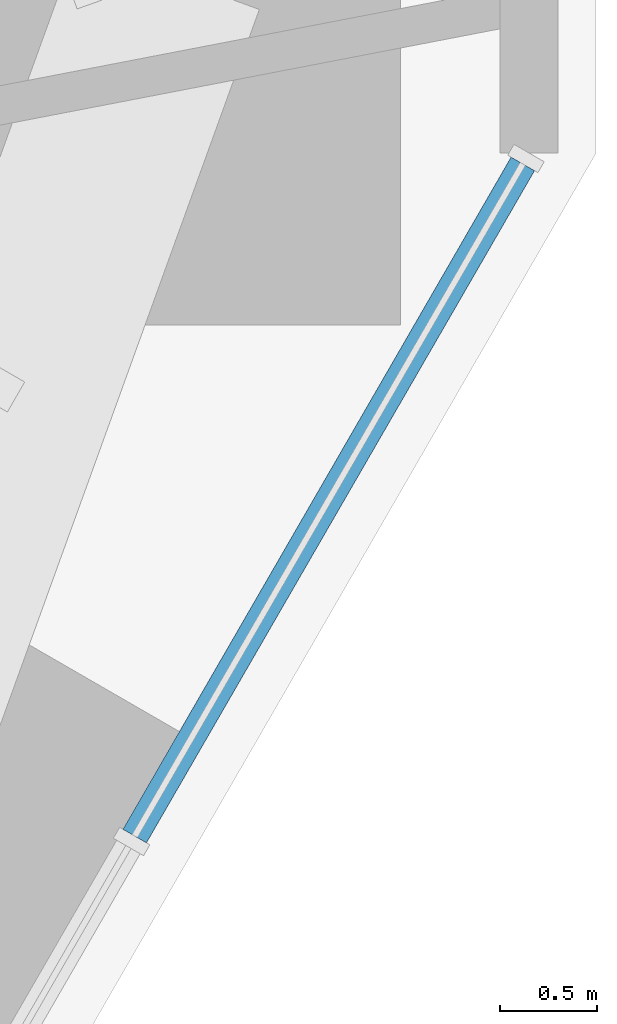
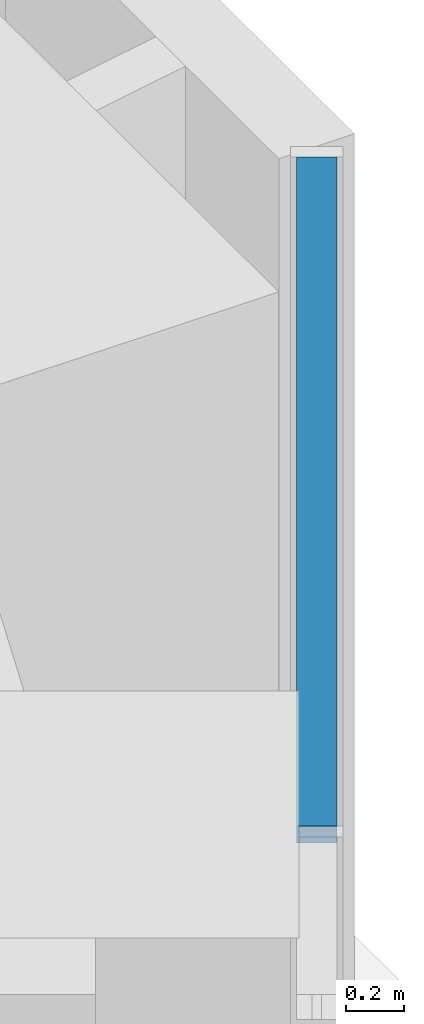
# One storey, part 6 of 17: 1 member, 1 element without a shape of its own.
"""IFC4 building model written with IfcOpenShell, lengths in metres."""

from ifc_helpers import new_model, si_unit, direction, frame, origin, origin_2d, place, context, subcontext, project, spatial, rectangle, extrude, material, material_profile, profile_set, type_object, element, aggregate, save


model = new_model("IFC4")

# Units and contexts
model_context = context("Model", 3, precision=1e-05, world=origin(), true_north=direction((0.0, 1.0)))
body_context = subcontext(model_context, "Body", "Model", "MODEL_VIEW")
ifc_project = project(units=[si_unit("LENGTHUNIT", "METRE"), si_unit("AREAUNIT", "SQUARE_METRE"), si_unit("VOLUMEUNIT", "CUBIC_METRE"), si_unit("PLANEANGLEUNIT", "RADIAN"), si_unit("MASSUNIT", "GRAM", prefix="KILO")], contexts=[model_context])

# Site, building, storey
site_placement = place(None, origin())
site = spatial("IfcSite", under=ifc_project, at=site_placement, CompositionType="ELEMENT")
building_placement = place(site_placement, origin())
building = spatial("IfcBuilding", under=site, at=building_placement, Name="Sandreach Pilgrim Tower", CompositionType="ELEMENT")
storey_placement = place(building_placement, frame((0.0, 0.0, 100.60009765625)))
storey = spatial("IfcBuildingStorey", under=building, at=storey_placement, Name="L24", CompositionType="ELEMENT", Elevation=100.60009765625)

# Curtain wall, member
ifc_material_1 = material(Name="Aluminium framed curtain wall", Category="aluminium")
curtain_wall_type = type_object("IfcCurtainWallType", Name="Hotel tower curtain wall", PredefinedType="NOTDEFINED", material=ifc_material_1)
curtain_wall_placement = place(storey_placement, origin())
curtain_wall = element("IfcCurtainWall", 1, at=curtain_wall_placement, inside=storey, type_object=curtain_wall_type, Name="CW-2 L24 SE", PredefinedType="NOTDEFINED")
ifc_material_2 = material(Name="Aluminium extrusion", Category="aluminium")
ifc_material_profile = material_profile(ifc_material_2, rectangle(XDim=0.139892578125, YDim=0.070068359375, at=origin_2d()), Name="CW-2T 140X70")
ifc_profile_set = profile_set([ifc_material_profile], Name="Aluminium extrusion")
member_type = type_object("IfcMemberType", Name="CW-2 transom", PredefinedType="USERDEFINED", material=ifc_profile_set)
member_placement = place(storey_placement, frame((28.6884765625, 4.7021484375, 3.60498046875), z_axis=(-0.500015851672, -0.866016251624, 0.0), x_axis=(0.866016251624, -0.500015851672, 0.0)))
member = element("IfcMember", 2, at=member_placement, type_object=member_type, Name="CW-2 head transom 1", ObjectType="TRANSOM", PredefinedType="USERDEFINED", context=body_context, shape_type="SweptSolid", body=[
    extrude(rectangle(XDim=0.139892578125, YDim=0.070068359375, at=origin_2d()), origin(), (0.0, 0.0, 1.0), 4.009521484375),
])
aggregate(curtain_wall, [member])

save(model, "model.ifc")
